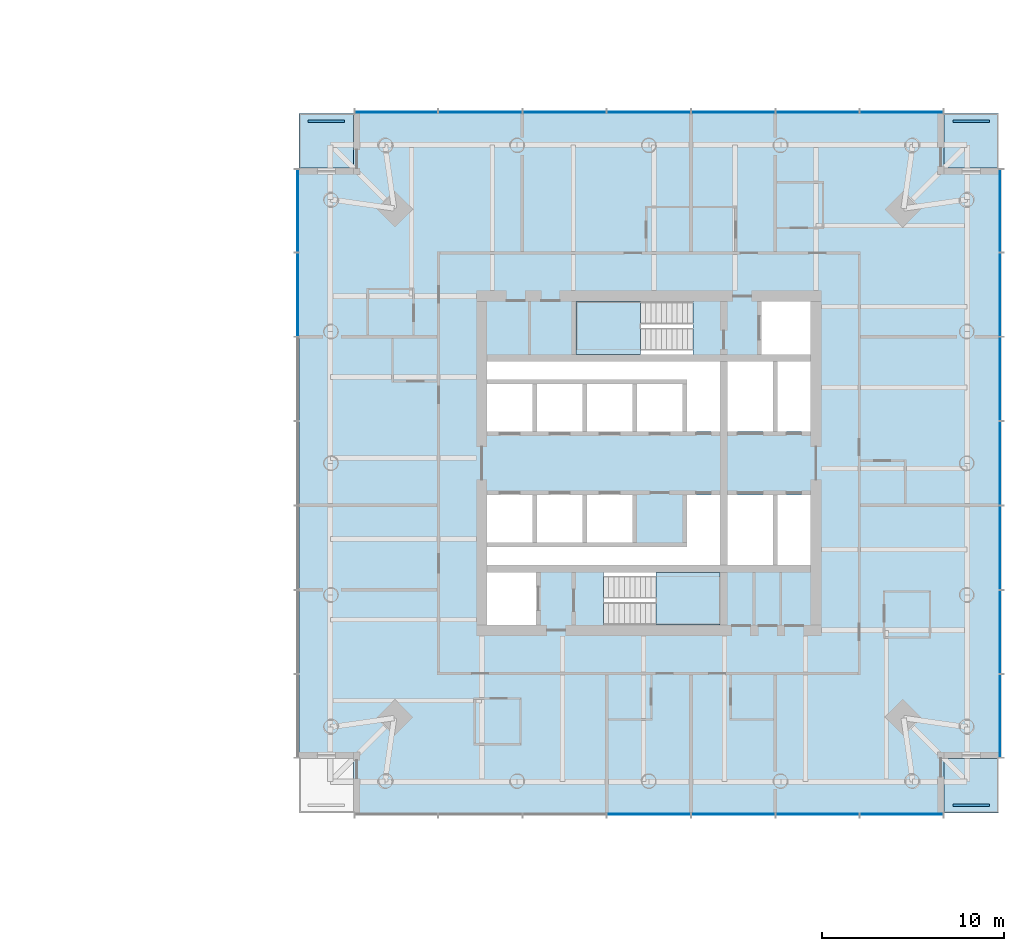
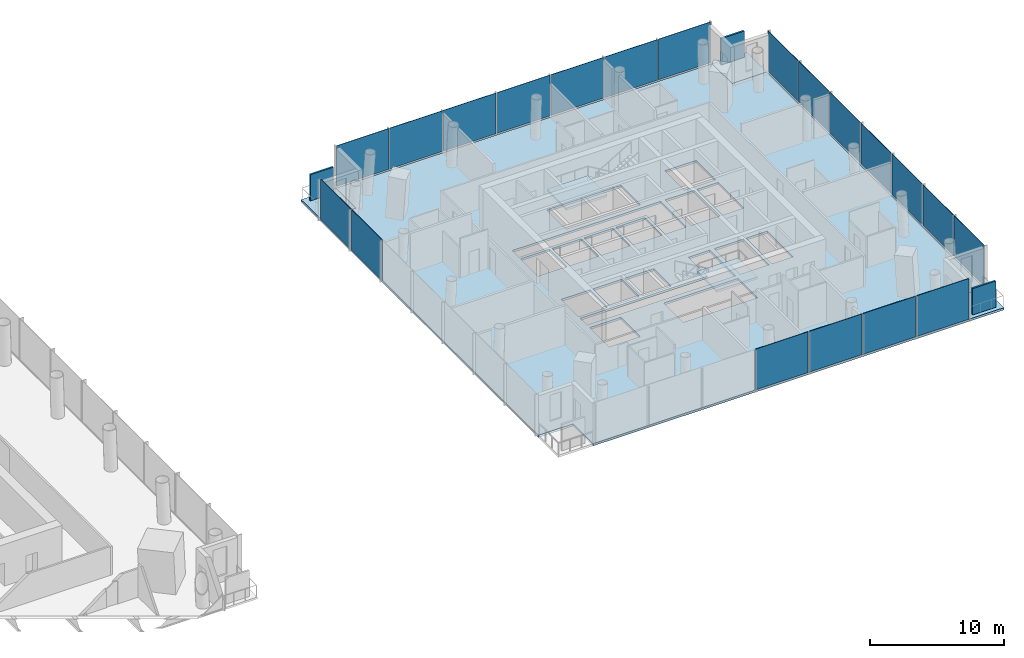
# One storey, part 7 of 18: 23 plates, 6 slabs, 6 elements without a shape of their own.
"""IFC4 building model written with IfcOpenShell, lengths in metres."""

import ifcopenshell
import ifcopenshell.guid

model = None  # the IFC model being written
_history = None  # IfcOwnerHistory: only IFC2X3 demands one
_inside = {}  # id of a spatial element -> (the spatial element, [elements in it])
_under = {}  # id of a project, library or spatial element -> (it, [spatial elements below it])
_declared = {}  # id of a project -> (the project, [libraries it declares])
_typed = {}  # id of a type object -> (the type object, [elements of that type])
_made_of = {}  # id of a material, layer set ... -> (it, [elements and type objects made of it])


def new_model(schema):
    """Start an empty IFC model of exactly this schema.

    Asked for "IFC4X3", IfcOpenShell would pick the latest addendum, in which some entities
    have other attributes; the version numbers below select the first issue.
    IFC2X3 requires an IfcOwnerHistory on every rooted entity: one is made here for all.
    """
    global model, _history
    if schema == "IFC4X3":
        model = ifcopenshell.file(schema_version=(4, 3, 0, 0))
    else:
        model = ifcopenshell.file(schema=schema)
    _inside.clear()
    _under.clear()
    _declared.clear()
    _typed.clear()
    _made_of.clear()
    _history = None
    if model.schema == "IFC2X3":
        org = make("IfcOrganization", Name="unknown")
        user = make(
            "IfcPersonAndOrganization",
            ThePerson=make("IfcPerson", FamilyName="unknown"),
            TheOrganization=org,
        )
        app = make(
            "IfcApplication",
            ApplicationDeveloper=org,
            Version="unknown",
            ApplicationFullName="unknown",
            ApplicationIdentifier="unknown",
        )
        _history = make(
            "IfcOwnerHistory",
            OwningUser=user,
            OwningApplication=app,
            ChangeAction="ADDED",
            CreationDate=0,
        )
    return model


def make(cls, **values):
    """One entity of the class cls with the attributes given. An attribute that is None is left unset."""
    return model.create_entity(
        cls, **{name: value for name, value in values.items() if value is not None}
    )


def rooted(cls, **values):
    """An entity with a GlobalId (a new one), such as an element, a storey or a relation."""
    return make(cls, GlobalId=ifcopenshell.guid.new(), OwnerHistory=_history, **values)


def si_unit(unit_type, name, prefix=None):
    """IfcSIUnit, for example si_unit("LENGTHUNIT", "METRE", prefix="MILLI")."""
    return make("IfcSIUnit", UnitType=unit_type, Prefix=prefix, Name=name)


def assignment(units):
    """IfcUnitAssignment: the units of a project."""
    return None if units is None else make("IfcUnitAssignment", Units=units)


def point(xyz):
    """IfcCartesianPoint."""
    return None if xyz is None else make("IfcCartesianPoint", Coordinates=xyz)


def direction(xyz):
    """IfcDirection."""
    return None if xyz is None else make("IfcDirection", DirectionRatios=xyz)


def frame(location, z_axis=None, x_axis=None):
    """IfcAxis2Placement3D, a coordinate frame: its origin and axes. An axis left out is left unset."""
    return make(
        "IfcAxis2Placement3D",
        Location=point(location),
        Axis=direction(z_axis),
        RefDirection=direction(x_axis),
    )


def frame_2d(location, x_axis=None):
    """IfcAxis2Placement2D, a coordinate frame in the plane: its origin and x axis."""
    return make(
        "IfcAxis2Placement2D", Location=point(location), RefDirection=direction(x_axis)
    )


def origin():
    """The frame at (0, 0, 0) with its axes left unset."""
    return frame((0.0, 0.0, 0.0))


def origin_2d():
    """The frame at (0, 0) in the plane with its x axis left unset."""
    return frame_2d((0.0, 0.0))


def place(relative_to, where):
    """IfcLocalPlacement: puts the frame where relative to a parent placement (None: the world)."""
    return make(
        "IfcLocalPlacement", PlacementRelTo=relative_to, RelativePlacement=where
    )


def context(
    kind, dimensions, precision=None, world=None, true_north=None, identifier=None
):
    """IfcGeometricRepresentationContext, for example the 3D "Model" context."""
    return make(
        "IfcGeometricRepresentationContext",
        ContextIdentifier=identifier,
        ContextType=kind,
        CoordinateSpaceDimension=dimensions,
        Precision=precision,
        WorldCoordinateSystem=world,
        TrueNorth=true_north,
    )


def subcontext(parent, identifier, kind, view, scale=None):
    """IfcGeometricRepresentationSubContext, for example "Body" below "Model"."""
    return make(
        "IfcGeometricRepresentationSubContext",
        ContextIdentifier=identifier,
        ContextType=kind,
        ParentContext=parent,
        TargetScale=scale,
        TargetView=view,
    )


def project(units=None, contexts=None):
    """IfcProject with its units and contexts."""
    return rooted(
        "IfcProject",
        Name="project",
        RepresentationContexts=contexts,
        UnitsInContext=assignment(units),
    )


def spatial(cls, under=None, at=None, **own):
    """A site, building, storey or space (cls), placed at a placement, below another one or the project."""
    s = rooted(cls, ObjectPlacement=at, **own)
    if under is not None:
        _under.setdefault(under.id(), (under, []))[1].append(s)
    return s


def polyline(points):
    """IfcPolyline through the points."""
    return make("IfcPolyline", Points=[point(p) for p in points])


def profile(cls, at=None, kind="AREA", **sizes):
    """A parametric profile (cls). Its sizes go by their IFC names, for example OverallWidth=200.0."""
    return make(cls, ProfileType=kind, Position=at, **sizes)


def rectangle(**sizes):
    """IfcRectangleProfileDef."""
    return profile("IfcRectangleProfileDef", **sizes)


def outline(outer, holes=None, kind="AREA"):
    """IfcArbitraryClosedProfileDef: a profile drawn as a closed curve; with holes, ...WithVoids."""
    if holes is None:
        return make("IfcArbitraryClosedProfileDef", ProfileType=kind, OuterCurve=outer)
    return make(
        "IfcArbitraryProfileDefWithVoids",
        ProfileType=kind,
        OuterCurve=outer,
        InnerCurves=holes,
    )


def extrude(swept, where, along, depth):
    """IfcExtrudedAreaSolid: the profile swept, set in the frame where, extruded along a direction by depth."""
    return make(
        "IfcExtrudedAreaSolid",
        SweptArea=swept,
        Position=where,
        ExtrudedDirection=direction(along),
        Depth=depth,
    )


def shape(context_of_items, identifier, shape_type, items):
    """IfcShapeRepresentation: the items that make up one representation, for example the "Body"."""
    return make(
        "IfcShapeRepresentation",
        ContextOfItems=context_of_items,
        RepresentationIdentifier=identifier,
        RepresentationType=shape_type,
        Items=items,
    )


def material(Name=None, Category=None):
    """IfcMaterial."""
    return make("IfcMaterial", Name=Name, Category=Category)


def layer(
    of_material, thickness, ventilated=None, Name=None, Category=None, Priority=None
):
    """IfcMaterialLayer: one layer of a wall or slab, of a material (None: an air gap)."""
    return make(
        "IfcMaterialLayer",
        Material=of_material,
        LayerThickness=thickness,
        IsVentilated=ventilated,
        Name=Name,
        Category=Category,
        Priority=Priority,
    )


def layer_set(layers, Name=None):
    """IfcMaterialLayerSet."""
    return make("IfcMaterialLayerSet", MaterialLayers=layers, LayerSetName=Name)


def made_of(thing, what):
    """Note that an element or type object is made of a material, layer set ...; save() writes the relation."""
    if what is not None:
        _made_of.setdefault(what.id(), (what, []))[1].append(thing)
    return thing


def type_object(cls, material=None, **own):
    """A type object (cls), such as IfcWallType, which elements share."""
    return made_of(rooted(cls, **own), material)


def element(
    cls,
    number,
    at=None,
    inside=None,
    cuts=None,
    type_object=None,
    material=None,
    context=None,
    identifier="Body",
    shape_type=None,
    held_by="IfcProductDefinitionShape",
    body=None,
    shapes=None,
    **own,
):
    """One element of the class cls, such as IfcWall. Its Tag is "e" and its number.

    at: its placement. inside: the storey or other place that contains it. cuts: it is an
    opening in that element (IfcRelVoidsElement). A single representation is given by context,
    identifier, shape_type and body (its items); several are given by shapes. held_by: the class
    of the entity that holds the representations. save() writes the other relations.
    """
    e = rooted(cls, Tag="e%d" % number, ObjectPlacement=at, **own)
    if body is not None:
        shapes = [shape(context, identifier, shape_type, body)]
    if shapes is not None:
        e.Representation = make(held_by, Representations=shapes)
    if inside is not None:
        _inside.setdefault(inside.id(), (inside, []))[1].append(e)
    if cuts is not None:
        rooted(
            "IfcRelVoidsElement", RelatingBuildingElement=cuts, RelatedOpeningElement=e
        )
    if type_object is not None:
        _typed.setdefault(type_object.id(), (type_object, []))[1].append(e)
    return made_of(e, material)


def aggregate(whole, parts):
    """IfcRelAggregates: a whole, such as a stair, and the parts it consists of."""
    return rooted("IfcRelAggregates", RelatingObject=whole, RelatedObjects=parts)


def save(model, path):
    """Write the relations noted so far, then the file.

    IfcRelAggregates (storeys below a building ...), IfcRelContainedInSpatialStructure (elements
    in a storey), IfcRelDefinesByType, IfcRelAssociatesMaterial and IfcRelDeclares: one each for
    every whole, place, type object, material and project.
    """
    for whole, parts in _under.values():
        aggregate(whole, parts)
    for where, things in _inside.values():
        rooted(
            "IfcRelContainedInSpatialStructure",
            RelatedElements=things,
            RelatingStructure=where,
        )
    for kind, things in _typed.values():
        rooted("IfcRelDefinesByType", RelatedObjects=things, RelatingType=kind)
    for what, things in _made_of.values():
        rooted("IfcRelAssociatesMaterial", RelatedObjects=things, RelatingMaterial=what)
    for by, libraries in _declared.values():
        rooted("IfcRelDeclares", RelatingContext=by, RelatedDefinitions=libraries)
    model.write(path)


model = new_model("IFC4")

# Units and contexts
model_context = context("Model", 3, precision=1e-05, world=origin(), true_north=direction((0.0, 1.0)))
body_context = subcontext(model_context, "Body", "Model", "MODEL_VIEW")
ifc_project = project(units=[si_unit("LENGTHUNIT", "METRE"), si_unit("AREAUNIT", "SQUARE_METRE"), si_unit("VOLUMEUNIT", "CUBIC_METRE"), si_unit("PLANEANGLEUNIT", "RADIAN"), si_unit("MASSUNIT", "GRAM", prefix="KILO")], contexts=[model_context])

# Site, building, storey
site_placement = place(None, origin())
site = spatial("IfcSite", under=ifc_project, at=site_placement, CompositionType="ELEMENT")
building_placement = place(site_placement, origin())
building = spatial("IfcBuilding", under=site, at=building_placement, Name="Ostroluk Exchange", CompositionType="ELEMENT")
storey_placement = place(building_placement, frame((0.0, 0.0, 55.199951171875)))
storey = spatial("IfcBuildingStorey", under=building, at=storey_placement, Name="L13", CompositionType="ELEMENT", Elevation=55.199951171875)

# Curtain wall, plates
ifc_material_1 = material(Name="Laminated clear glass", Category="glass")
curtain_wall_type = type_object("IfcCurtainWallType", Name="Hotel guest floor facade", PredefinedType="USERDEFINED", material=ifc_material_1)
curtain_wall_1_placement = place(storey_placement, origin())
curtain_wall_1 = element("IfcCurtainWall", 1, at=curtain_wall_1_placement, inside=storey, type_object=curtain_wall_type, Name="Hotel tower south facade L13", ObjectType="UNITISED CURTAIN WALL", PredefinedType="USERDEFINED")
ifc_material_2 = material(Name="Laminated clear glass", Category="glass")
ifc_layer_1 = layer(ifc_material_2, 0.0400390625)
ifc_layer_set_1 = layer_set([ifc_layer_1], Name="Acoustic laminated glazing 40")
plate_type_1 = type_object("IfcPlateType", Name="Acoustic laminated glazing 40", PredefinedType="CURTAIN_PANEL", material=ifc_layer_set_1)
plate_1_placement = place(storey_placement, frame((117.0, 26.675048828125, 0.080078125), z_axis=(0.0, 0.0, 1.0), x_axis=(1.0, 0.0, 0.0)))
plate_1 = element("IfcPlate", 2, at=plate_1_placement, type_object=plate_type_1, Name="CW-H1 panel 4.1", PredefinedType="CURTAIN_PANEL", context=body_context, shape_type="SweptSolid", body=[
    extrude(rectangle(XDim=4.562744140625, YDim=0.0400390625, at=origin_2d()), origin(), (0.0, 0.0, 1.0), 3.719970703125),
])
plate_2_placement = place(storey_placement, frame((121.642822265625, 26.675048828125, 0.080078125), z_axis=(0.0, 0.0, 1.0), x_axis=(1.0, 0.0, 0.0)))
plate_2 = element("IfcPlate", 3, at=plate_2_placement, type_object=plate_type_1, Name="CW-H1 panel 5.1", PredefinedType="CURTAIN_PANEL", context=body_context, shape_type="SweptSolid", body=[
    extrude(rectangle(XDim=4.562744140625, YDim=0.0400390625, at=origin_2d()), origin(), (0.0, 0.0, 1.0), 3.719970703125),
])
plate_3_placement = place(storey_placement, frame((126.28564453125, 26.675048828125, 0.080078125), z_axis=(0.0, 0.0, 1.0), x_axis=(1.0, 0.0, 0.0)))
plate_3 = element("IfcPlate", 4, at=plate_3_placement, type_object=plate_type_1, Name="CW-H1 panel 6.1", PredefinedType="CURTAIN_PANEL", context=body_context, shape_type="SweptSolid", body=[
    extrude(rectangle(XDim=4.562744140625, YDim=0.0400390625, at=origin_2d()), origin(), (0.0, 0.0, 1.0), 3.719970703125),
])
plate_4_placement = place(storey_placement, frame((130.90869140625, 26.675048828125, 0.080078125), z_axis=(0.0, 0.0, 1.0), x_axis=(1.0, 0.0, 0.0)))
plate_4 = element("IfcPlate", 5, at=plate_4_placement, type_object=plate_type_1, Name="CW-H1 panel 7.1", PredefinedType="CURTAIN_PANEL", context=body_context, shape_type="SweptSolid", body=[
    extrude(rectangle(XDim=4.52294921875, YDim=0.0400390625, at=origin_2d()), origin(), (0.0, 0.0, 1.0), 3.719970703125),
])
aggregate(curtain_wall_1, [plate_1, plate_2, plate_3, plate_4])

curtain_wall_2_placement = place(storey_placement, origin())
curtain_wall_2 = element("IfcCurtainWall", 6, at=curtain_wall_2_placement, inside=storey, type_object=curtain_wall_type, Name="Hotel tower east facade L13", ObjectType="UNITISED CURTAIN WALL", PredefinedType="USERDEFINED")
plate_5_placement = place(storey_placement, frame((136.324951171875, 32.09130859375, 0.080078125), z_axis=(0.0, 0.0, 1.0), x_axis=(0.0, 1.0, 0.0)))
plate_5 = element("IfcPlate", 7, at=plate_5_placement, type_object=plate_type_1, Name="CW-H1 panel 1.1", PredefinedType="CURTAIN_PANEL", context=body_context, shape_type="SweptSolid", body=[
    extrude(rectangle(XDim=4.52294921875, YDim=0.0400390625, at=origin_2d()), origin(), (0.0, 0.0, 1.0), 3.719970703125),
])
plate_6_placement = place(storey_placement, frame((136.324951171875, 36.71435546875, 0.080078125), z_axis=(0.0, 0.0, 1.0), x_axis=(0.0, 1.0, 0.0)))
plate_6 = element("IfcPlate", 8, at=plate_6_placement, type_object=plate_type_1, Name="CW-H1 panel 2.1", PredefinedType="CURTAIN_PANEL", context=body_context, shape_type="SweptSolid", body=[
    extrude(rectangle(XDim=4.562744140625, YDim=0.0400390625, at=origin_2d()), origin(), (0.0, 0.0, 1.0), 3.719970703125),
])
plate_7_placement = place(storey_placement, frame((136.324951171875, 41.357177734375, 0.080078125), z_axis=(0.0, 0.0, 1.0), x_axis=(0.0, 1.0, 0.0)))
plate_7 = element("IfcPlate", 9, at=plate_7_placement, type_object=plate_type_1, Name="CW-H1 panel 3.1", PredefinedType="CURTAIN_PANEL", context=body_context, shape_type="SweptSolid", body=[
    extrude(rectangle(XDim=4.562744140625, YDim=0.0400390625, at=origin_2d()), origin(), (0.0, 0.0, 1.0), 3.719970703125),
])
plate_8_placement = place(storey_placement, frame((136.324951171875, 46.0, 0.080078125), z_axis=(0.0, 0.0, 1.0), x_axis=(0.0, 1.0, 0.0)))
plate_8 = element("IfcPlate", 10, at=plate_8_placement, type_object=plate_type_1, Name="CW-H1 panel 4.1", PredefinedType="CURTAIN_PANEL", context=body_context, shape_type="SweptSolid", body=[
    extrude(rectangle(XDim=4.562744140625, YDim=0.0400390625, at=origin_2d()), origin(), (0.0, 0.0, 1.0), 3.719970703125),
])
plate_9_placement = place(storey_placement, frame((136.324951171875, 50.642822265625, 0.080078125), z_axis=(0.0, 0.0, 1.0), x_axis=(0.0, 1.0, 0.0)))
plate_9 = element("IfcPlate", 11, at=plate_9_placement, type_object=plate_type_1, Name="CW-H1 panel 5.1", PredefinedType="CURTAIN_PANEL", context=body_context, shape_type="SweptSolid", body=[
    extrude(rectangle(XDim=4.562744140625, YDim=0.0400390625, at=origin_2d()), origin(), (0.0, 0.0, 1.0), 3.719970703125),
])
plate_10_placement = place(storey_placement, frame((136.324951171875, 55.28564453125, 0.080078125), z_axis=(0.0, 0.0, 1.0), x_axis=(0.0, 1.0, 0.0)))
plate_10 = element("IfcPlate", 12, at=plate_10_placement, type_object=plate_type_1, Name="CW-H1 panel 6.1", PredefinedType="CURTAIN_PANEL", context=body_context, shape_type="SweptSolid", body=[
    extrude(rectangle(XDim=4.562744140625, YDim=0.0400390625, at=origin_2d()), origin(), (0.0, 0.0, 1.0), 3.719970703125),
])
plate_11_placement = place(storey_placement, frame((136.324951171875, 59.90869140625, 0.080078125), z_axis=(0.0, 0.0, 1.0), x_axis=(0.0, 1.0, 0.0)))
plate_11 = element("IfcPlate", 13, at=plate_11_placement, type_object=plate_type_1, Name="CW-H1 panel 7.1", PredefinedType="CURTAIN_PANEL", context=body_context, shape_type="SweptSolid", body=[
    extrude(rectangle(XDim=4.52294921875, YDim=0.0400390625, at=origin_2d()), origin(), (0.0, 0.0, 1.0), 3.719970703125),
])
aggregate(curtain_wall_2, [plate_5, plate_6, plate_7, plate_8, plate_9, plate_10, plate_11])

curtain_wall_3_placement = place(storey_placement, origin())
curtain_wall_3 = element("IfcCurtainWall", 14, at=curtain_wall_3_placement, inside=storey, type_object=curtain_wall_type, Name="Hotel tower north facade L13", ObjectType="UNITISED CURTAIN WALL", PredefinedType="USERDEFINED")
plate_12_placement = place(storey_placement, frame((130.90869140625, 65.324951171875, 0.080078125), z_axis=(0.0, 0.0, 1.0), x_axis=(-1.0, 0.0, 0.0)))
plate_12 = element("IfcPlate", 15, at=plate_12_placement, type_object=plate_type_1, Name="CW-H1 panel 1.1", PredefinedType="CURTAIN_PANEL", context=body_context, shape_type="SweptSolid", body=[
    extrude(rectangle(XDim=4.52294921875, YDim=0.0400390625, at=origin_2d()), origin(), (0.0, 0.0, 1.0), 3.719970703125),
])
plate_13_placement = place(storey_placement, frame((126.28564453125, 65.324951171875, 0.080078125), z_axis=(0.0, 0.0, 1.0), x_axis=(-1.0, 0.0, 0.0)))
plate_13 = element("IfcPlate", 16, at=plate_13_placement, type_object=plate_type_1, Name="CW-H1 panel 2.1", PredefinedType="CURTAIN_PANEL", context=body_context, shape_type="SweptSolid", body=[
    extrude(rectangle(XDim=4.562744140625, YDim=0.0400390625, at=origin_2d()), origin(), (0.0, 0.0, 1.0), 3.719970703125),
])
plate_14_placement = place(storey_placement, frame((121.642822265625, 65.324951171875, 0.080078125), z_axis=(0.0, 0.0, 1.0), x_axis=(-1.0, 0.0, 0.0)))
plate_14 = element("IfcPlate", 17, at=plate_14_placement, type_object=plate_type_1, Name="CW-H1 panel 3.1", PredefinedType="CURTAIN_PANEL", context=body_context, shape_type="SweptSolid", body=[
    extrude(rectangle(XDim=4.562744140625, YDim=0.0400390625, at=origin_2d()), origin(), (0.0, 0.0, 1.0), 3.719970703125),
])
plate_15_placement = place(storey_placement, frame((117.0, 65.324951171875, 0.080078125), z_axis=(0.0, 0.0, 1.0), x_axis=(-1.0, 0.0, 0.0)))
plate_15 = element("IfcPlate", 18, at=plate_15_placement, type_object=plate_type_1, Name="CW-H1 panel 4.1", PredefinedType="CURTAIN_PANEL", context=body_context, shape_type="SweptSolid", body=[
    extrude(rectangle(XDim=4.562744140625, YDim=0.0400390625, at=origin_2d()), origin(), (0.0, 0.0, 1.0), 3.719970703125),
])
plate_16_placement = place(storey_placement, frame((112.357177734375, 65.324951171875, 0.080078125), z_axis=(0.0, 0.0, 1.0), x_axis=(-1.0, 0.0, 0.0)))
plate_16 = element("IfcPlate", 19, at=plate_16_placement, type_object=plate_type_1, Name="CW-H1 panel 5.1", PredefinedType="CURTAIN_PANEL", context=body_context, shape_type="SweptSolid", body=[
    extrude(rectangle(XDim=4.562744140625, YDim=0.0400390625, at=origin_2d()), origin(), (0.0, 0.0, 1.0), 3.719970703125),
])
plate_17_placement = place(storey_placement, frame((107.71435546875, 65.324951171875, 0.080078125), z_axis=(0.0, 0.0, 1.0), x_axis=(-1.0, 0.0, 0.0)))
plate_17 = element("IfcPlate", 20, at=plate_17_placement, type_object=plate_type_1, Name="CW-H1 panel 6.1", PredefinedType="CURTAIN_PANEL", context=body_context, shape_type="SweptSolid", body=[
    extrude(rectangle(XDim=4.562744140625, YDim=0.0400390625, at=origin_2d()), origin(), (0.0, 0.0, 1.0), 3.719970703125),
])
plate_18_placement = place(storey_placement, frame((103.09130859375, 65.324951171875, 0.080078125), z_axis=(0.0, 0.0, 1.0), x_axis=(-1.0, 0.0, 0.0)))
plate_18 = element("IfcPlate", 21, at=plate_18_placement, type_object=plate_type_1, Name="CW-H1 panel 7.1", PredefinedType="CURTAIN_PANEL", context=body_context, shape_type="SweptSolid", body=[
    extrude(rectangle(XDim=4.52294921875, YDim=0.0400390625, at=origin_2d()), origin(), (0.0, 0.0, 1.0), 3.719970703125),
])
aggregate(curtain_wall_3, [plate_12, plate_13, plate_14, plate_15, plate_16, plate_17, plate_18])

curtain_wall_4_placement = place(storey_placement, origin())
curtain_wall_4 = element("IfcCurtainWall", 22, at=curtain_wall_4_placement, inside=storey, type_object=curtain_wall_type, Name="Hotel tower west facade L13", ObjectType="UNITISED CURTAIN WALL", PredefinedType="USERDEFINED")
plate_19_placement = place(storey_placement, frame((97.675048828125, 59.90869140625, 0.080078125), z_axis=(0.0, 0.0, 1.0), x_axis=(0.0, -1.0, 0.0)))
plate_19 = element("IfcPlate", 23, at=plate_19_placement, type_object=plate_type_1, Name="CW-H1 panel 1.1", PredefinedType="CURTAIN_PANEL", context=body_context, shape_type="SweptSolid", body=[
    extrude(rectangle(XDim=4.52294921875, YDim=0.0400390625, at=origin_2d()), origin(), (0.0, 0.0, 1.0), 3.719970703125),
])
plate_20_placement = place(storey_placement, frame((97.675048828125, 55.28564453125, 0.080078125), z_axis=(0.0, 0.0, 1.0), x_axis=(0.0, -1.0, 0.0)))
plate_20 = element("IfcPlate", 24, at=plate_20_placement, type_object=plate_type_1, Name="CW-H1 panel 2.1", PredefinedType="CURTAIN_PANEL", context=body_context, shape_type="SweptSolid", body=[
    extrude(rectangle(XDim=4.562744140625, YDim=0.0400390625, at=origin_2d()), origin(), (0.0, 0.0, 1.0), 3.719970703125),
])
aggregate(curtain_wall_4, [plate_19, plate_20])

# Slabs
ifc_material_3 = material(Name="Concrete C35/45", Category="concrete")
ifc_layer_2 = layer(ifc_material_3, 0.199951171875)
ifc_layer_set_2 = layer_set([ifc_layer_2], Name="Balcony slab 200")
slab_type_1 = type_object("IfcSlabType", Name="Balcony slab 200", PredefinedType="USERDEFINED", material=ifc_layer_set_2)
slab_1_placement = place(storey_placement, frame((0.0, 0.0, -0.199951171875)))
element("IfcSlab", 25, at=slab_1_placement, inside=storey, type_object=slab_type_1, Name="Hotel tower SE corner balcony L13", ObjectType="BALCONY", PredefinedType="USERDEFINED", context=body_context, shape_type="SweptSolid", body=[
    extrude(outline(polyline([(133.25, 26.75), (136.25, 26.75), (136.25, 29.75), (133.25, 29.75), (133.25, 26.75)])), origin(), (0.0, 0.0, 1.0), 0.199951171875),
])
slab_2_placement = place(storey_placement, frame((0.0, 0.0, -0.199951171875)))
element("IfcSlab", 26, at=slab_2_placement, inside=storey, type_object=slab_type_1, Name="Hotel tower NE corner balcony L13", ObjectType="BALCONY", PredefinedType="USERDEFINED", context=body_context, shape_type="SweptSolid", body=[
    extrude(outline(polyline([(133.25, 62.25), (136.25, 62.25), (136.25, 65.25), (133.25, 65.25), (133.25, 62.25)])), origin(), (0.0, 0.0, 1.0), 0.199951171875),
])
slab_3_placement = place(storey_placement, frame((0.0, 0.0, -0.199951171875)))
element("IfcSlab", 27, at=slab_3_placement, inside=storey, type_object=slab_type_1, Name="Hotel tower NW corner balcony L13", ObjectType="BALCONY", PredefinedType="USERDEFINED", context=body_context, shape_type="SweptSolid", body=[
    extrude(outline(polyline([(97.75, 62.25), (100.75, 62.25), (100.75, 65.25), (97.75, 65.25), (97.75, 62.25)])), origin(), (0.0, 0.0, 1.0), 0.199951171875),
])

# Plates
ifc_material_4 = material(Name="Steel S355 trellis with planting", Category="steel")
ifc_layer_3 = layer(ifc_material_4, 0.14990234375)
ifc_layer_set_3 = layer_set([ifc_layer_3], Name="Planted screen 150")
plate_type_2 = type_object("IfcPlateType", Name="Planted screen 150", PredefinedType="USERDEFINED", material=ifc_layer_set_3)
for number, where, z_axis, x_axis, name in (
    (28, (134.75, 27.175048828125, 0.0), (0.0, 0.0, 1.0), (1.0, 0.0, 0.0), "Hotel tower SE planted screen L13"),
    (29, (134.75, 64.824951171875, 0.0), (0.0, 0.0, 1.0), (1.0, 0.0, 0.0), "Hotel tower NE planted screen L13"),
    (30, (99.25, 64.824951171875, 0.0), (0.0, 0.0, 1.0), (1.0, 0.0, 0.0), "Hotel tower NW planted screen L13"),
):
    element("IfcPlate", number, at=place(storey_placement, frame(where, z_axis=z_axis, x_axis=x_axis)), inside=storey, type_object=plate_type_2, Name=name, ObjectType="PLANTED SCREEN", PredefinedType="USERDEFINED", context=body_context, shape_type="SweptSolid", body=[
        extrude(rectangle(XDim=2.0, YDim=0.14990234375, at=origin_2d()), origin(), (0.0, 0.0, 1.0), 2.39990234375),
    ])

# Stair, slab
ifc_material_5 = material(Name="Concrete C30/37", Category="concrete")
stair_type = type_object("IfcStairType", Name="Exit stair half turn 3800", PredefinedType="HALF_TURN_STAIR", material=ifc_material_5)
stair_1_placement = place(storey_placement, origin())
stair_1 = element("IfcStair", 31, at=stair_1_placement, inside=storey, type_object=stair_type, Name="Stair T2-S1 L13", PredefinedType="HALF_TURN_STAIR")
ifc_material_6 = material(Name="Concrete C30/37", Category="concrete")
ifc_layer_4 = layer(ifc_material_6, 0.199951171875)
ifc_layer_set_4 = layer_set([ifc_layer_4], Name="Stair landing 200")
slab_type_2 = type_object("IfcSlabType", Name="Stair landing 200", PredefinedType="LANDING", material=ifc_layer_set_4)
slab_4_placement = place(storey_placement, frame((0.0, 0.0, 1.699951171875)))
slab_4 = element("IfcSlab", 32, at=slab_4_placement, type_object=slab_type_2, Name="T2-S1 landing 1", PredefinedType="LANDING", context=body_context, shape_type="SweptSolid", body=[
    extrude(outline(polyline([(117.39990234375, 37.10009765625), (117.39990234375, 40.0), (120.929931640625, 40.0), (120.929931640625, 37.10009765625), (117.39990234375, 37.10009765625)])), origin(), (0.0, 0.0, 1.0), 0.2001953125),
])
aggregate(stair_1, [slab_4])

stair_2_placement = place(storey_placement, origin())
stair_2 = element("IfcStair", 33, at=stair_2_placement, inside=storey, type_object=stair_type, Name="Stair T2-S2 L13", PredefinedType="HALF_TURN_STAIR")
slab_5_placement = place(storey_placement, frame((0.0, 0.0, 1.699951171875)))
slab_5 = element("IfcSlab", 34, at=slab_5_placement, type_object=slab_type_2, Name="T2-S2 landing 1", PredefinedType="LANDING", context=body_context, shape_type="SweptSolid", body=[
    extrude(outline(polyline([(116.530029296875, 52.0), (116.530029296875, 54.89990234375), (113.0, 54.89990234375), (113.0, 52.0), (116.530029296875, 52.0)])), origin(), (0.0, 0.0, 1.0), 0.2001953125),
])
aggregate(stair_2, [slab_5])

# Slab
ifc_material_7 = material(Name="Concrete C35/45", Category="concrete")
ifc_layer_5 = layer(ifc_material_7, 0.199951171875)
ifc_layer_set_5 = layer_set([ifc_layer_5], Name="Tower floor slab 200 composite")
slab_type_3 = type_object("IfcSlabType", Name="Tower floor slab 200 composite", PredefinedType="FLOOR", material=ifc_layer_set_5)
slab_6_placement = place(storey_placement, frame((0.0, 0.0, -0.199951171875)))
element("IfcSlab", 35, at=slab_6_placement, inside=storey, type_object=slab_type_3, Name="Hotel tower floor slab L13", PredefinedType="FLOOR", context=body_context, shape_type="SweptSolid", body=[
    extrude(outline(polyline([(100.75, 26.75), (133.25, 26.75), (133.25, 29.75), (136.25, 29.75), (136.25, 62.25), (133.25, 62.25), (133.25, 65.25), (100.75, 65.25), (100.75, 62.25), (97.75, 62.25), (97.75, 29.75), (100.75, 29.75), (100.75, 26.75)]), holes=[polyline([(108.10009765625, 37.10009765625), (110.800048828125, 37.10009765625), (110.800048828125, 40.0), (108.10009765625, 40.0), (108.10009765625, 37.10009765625)]), polyline([(114.510009765625, 37.10009765625), (120.929931640625, 37.10009765625), (120.929931640625, 40.0), (114.510009765625, 40.0), (114.510009765625, 37.10009765625)]), polyline([(113.0, 52.0), (119.419921875, 52.0), (119.419921875, 54.89990234375), (113.0, 54.89990234375), (113.0, 52.0)]), polyline([(123.199951171875, 52.0), (125.89990234375, 52.0), (125.89990234375, 54.89990234375), (123.199951171875, 54.89990234375), (123.199951171875, 52.0)]), polyline([(108.10009765625, 47.75), (110.60009765625, 47.75), (110.60009765625, 50.35009765625), (108.10009765625, 50.35009765625), (108.10009765625, 47.75)]), polyline([(110.85009765625, 47.75), (113.35009765625, 47.75), (113.35009765625, 50.35009765625), (110.85009765625, 50.35009765625), (110.85009765625, 47.75)]), polyline([(113.60009765625, 47.75), (116.10009765625, 47.75), (116.10009765625, 50.35009765625), (113.60009765625, 50.35009765625), (113.60009765625, 47.75)]), polyline([(116.35009765625, 47.75), (118.85009765625, 47.75), (118.85009765625, 50.35009765625), (116.35009765625, 50.35009765625), (116.35009765625, 47.75)]), polyline([(108.10009765625, 41.64990234375), (110.60009765625, 41.64990234375), (110.60009765625, 44.25), (108.10009765625, 44.25), (108.10009765625, 41.64990234375)]), polyline([(110.85009765625, 41.64990234375), (113.35009765625, 41.64990234375), (113.35009765625, 44.25), (110.85009765625, 44.25), (110.85009765625, 41.64990234375)]), polyline([(113.60009765625, 41.64990234375), (116.10009765625, 41.64990234375), (116.10009765625, 44.25), (113.60009765625, 44.25), (113.60009765625, 41.64990234375)]), polyline([(121.330078125, 47.75), (123.830078125, 47.75), (123.830078125, 51.60009765625), (121.330078125, 51.60009765625), (121.330078125, 47.75)]), polyline([(121.330078125, 40.39990234375), (123.830078125, 40.39990234375), (123.830078125, 44.25), (121.330078125, 44.25), (121.330078125, 40.39990234375)]), polyline([(120.929931640625, 51.60009765625), (120.929931640625, 47.75), (119.10009765625, 47.75), (119.10009765625, 50.60009765625), (108.10009765625, 50.60009765625), (108.10009765625, 51.60009765625), (120.929931640625, 51.60009765625)]), polyline([(108.10009765625, 40.39990234375), (108.10009765625, 41.39990234375), (119.10009765625, 41.39990234375), (119.10009765625, 44.25), (120.929931640625, 44.25), (120.929931640625, 40.39990234375), (108.10009765625, 40.39990234375)]), polyline([(124.080078125, 47.75), (125.89990234375, 47.75), (125.89990234375, 51.60009765625), (124.080078125, 51.60009765625), (124.080078125, 47.75)]), polyline([(124.080078125, 40.39990234375), (125.89990234375, 40.39990234375), (125.89990234375, 44.25), (124.080078125, 44.25), (124.080078125, 40.39990234375)])]), origin(), (0.0, 0.0, 1.0), 0.199951171875),
])

save(model, "model.ifc")
